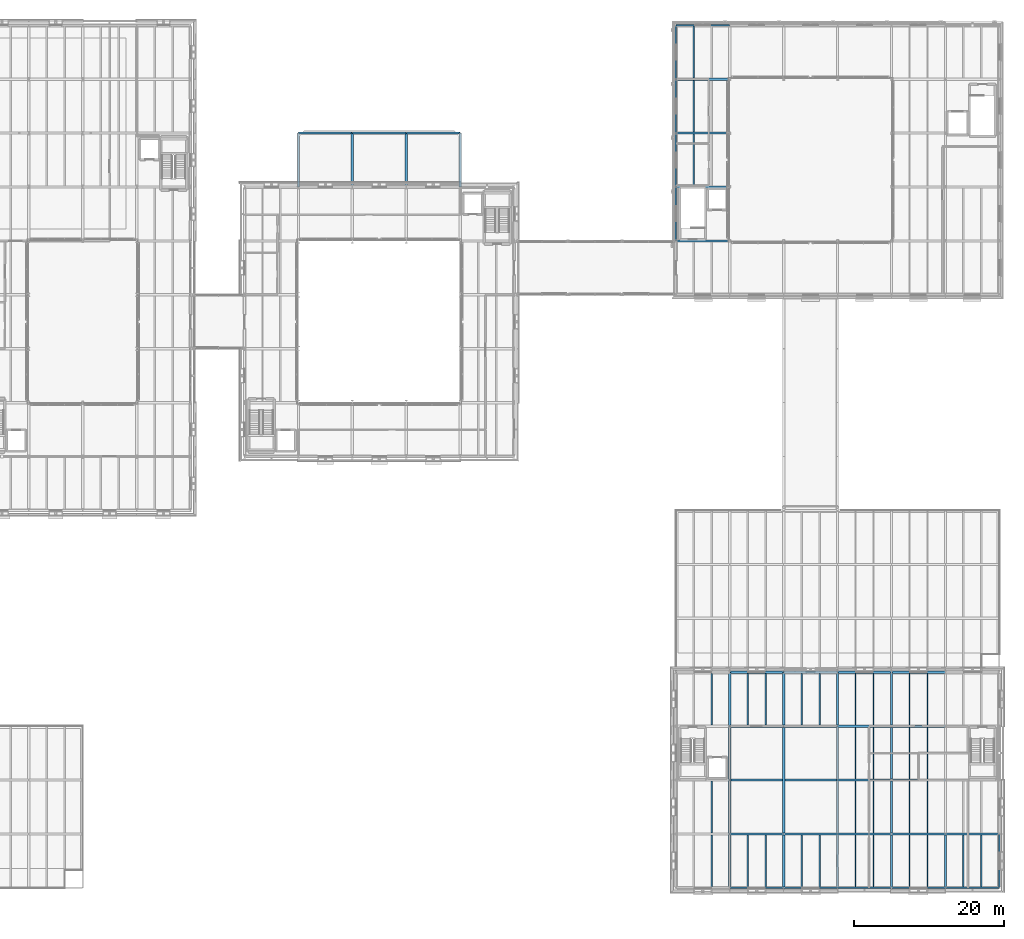
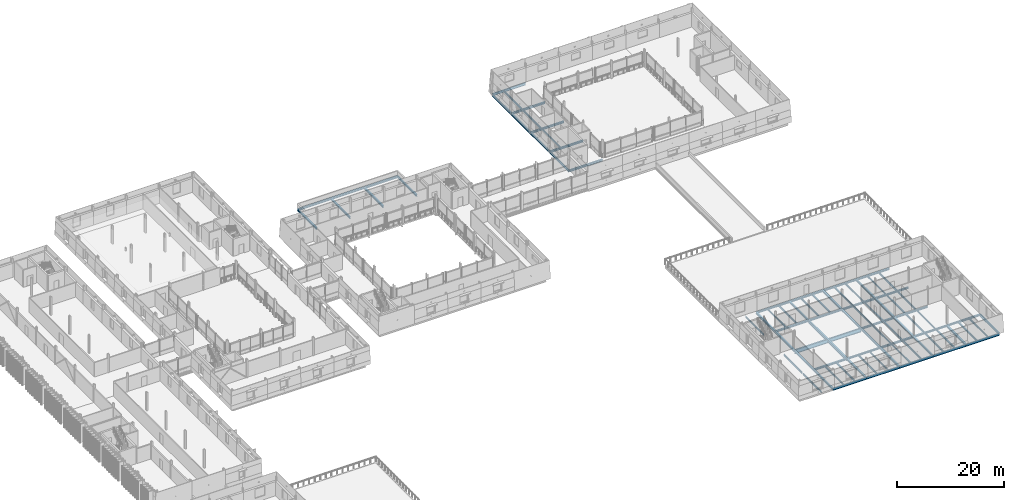
# One storey, part 35 of 115: 86 beams.
"""IFC4 building model written with IfcOpenShell, lengths in metres."""

from ifc_helpers import new_model, si_unit, direction, frame, origin, origin_2d, place, context, subcontext, project, spatial, i_section, extrude, material, material_profile, profile_set, type_object, element, save


model = new_model("IFC4")

# Units and contexts
model_context = context("Model", 3, precision=1e-05, world=origin(), true_north=direction((0.0, 1.0)))
body_context = subcontext(model_context, "Body", "Model", "MODEL_VIEW")
ifc_project = project(units=[si_unit("LENGTHUNIT", "METRE"), si_unit("AREAUNIT", "SQUARE_METRE"), si_unit("VOLUMEUNIT", "CUBIC_METRE"), si_unit("PLANEANGLEUNIT", "RADIAN"), si_unit("MASSUNIT", "GRAM", prefix="KILO")], contexts=[model_context])

# Site, building, storey
site_placement = place(None, origin())
site = spatial("IfcSite", under=ifc_project, at=site_placement, CompositionType="ELEMENT")
building_placement = place(site_placement, origin())
building = spatial("IfcBuilding", under=site, at=building_placement, Name="Narikvali Park Central Library", CompositionType="ELEMENT")
storey_placement = place(building_placement, frame((0.0, 0.0, 10.199951171875)))
storey = spatial("IfcBuildingStorey", under=building, at=storey_placement, Name="L02", CompositionType="ELEMENT", Elevation=10.199951171875)

# Beams
ifc_material = material(Name="Steel S355", Category="steel")
ifc_material_profile_1 = material_profile(ifc_material, i_section(OverallWidth=0.179931640625, OverallDepth=0.39990234375, WebThickness=0.008544921875, FlangeThickness=0.013427734375, FilletRadius=0.02099609375, at=origin_2d()), Name="IPE 400")
ifc_profile_set_1 = profile_set([ifc_material_profile_1], Name="Steel S355")
beam_type_1 = type_object("IfcBeamType", Name="Composite Floor Joist IPE400", PredefinedType="JOIST", material=ifc_profile_set_1)
beam_1_placement = place(storey_placement, frame((124.800048828125, 93.75, -0.47998046875), z_axis=(0.0, 1.0, 0.0), x_axis=(-1.0, 0.0, 0.0)))
element("IfcBeam", 1, at=beam_1_placement, inside=storey, type_object=beam_type_1, Name="V3 L02 Composite Joist 1", PredefinedType="JOIST", context=body_context, shape_type="SweptSolid", body=[
    extrude(i_section(OverallWidth=0.179931640625, OverallDepth=0.39990234375, WebThickness=0.008544921875, FlangeThickness=0.013427734375, FilletRadius=0.02099609375, at=origin_2d()), origin(), (0.0, 0.0, 1.0), 6.89990234375),
])
beam_2_placement = place(storey_placement, frame((124.800048828125, 100.949951171875, -0.47998046875), z_axis=(0.0, 1.0, 0.0), x_axis=(-1.0, 0.0, 0.0)))
element("IfcBeam", 2, at=beam_2_placement, inside=storey, type_object=beam_type_1, Name="V3 L02 Composite Joist 1", PredefinedType="JOIST", context=body_context, shape_type="SweptSolid", body=[
    extrude(i_section(OverallWidth=0.179931640625, OverallDepth=0.39990234375, WebThickness=0.008544921875, FlangeThickness=0.013427734375, FilletRadius=0.02099609375, at=origin_2d()), origin(), (0.0, 0.0, 1.0), 6.900146484375),
])
for number, where, z_axis, x_axis, name in (
    (3, (124.800048828125, 108.14990234375, -0.47998046875), (0.0, 1.0, 0.0), (-1.0, 0.0, 0.0), "V3 L02 Composite Joist 1"),
    (4, (127.199951171875, 0.10498046875, -0.47998046875), (0.0, 1.0, 0.0), (-1.0, 0.0, 0.0), "V6 L02 Composite Joist 2"),
):
    element("IfcBeam", number, at=place(storey_placement, frame(where, z_axis=z_axis, x_axis=x_axis)), inside=storey, type_object=beam_type_1, Name=name, PredefinedType="JOIST", context=body_context, shape_type="SweptSolid", body=[
        extrude(i_section(OverallWidth=0.179931640625, OverallDepth=0.39990234375, WebThickness=0.008544921875, FlangeThickness=0.013427734375, FilletRadius=0.02099609375, at=origin_2d()), origin(), (0.0, 0.0, 1.0), 6.945068359375),
    ])
for number, where, z_axis, x_axis, name in (
    (5, (127.199951171875, 7.35009765625, -0.47998046875), (0.0, 1.0, 0.0), (-1.0, 0.0, 0.0), "V6 L02 Composite Joist 2"),
    (6, (127.199951171875, 21.75, -0.47998046875), (0.0, 1.0, 0.0), (-1.0, 0.0, 0.0), "V6 L02 Composite Joist 2"),
):
    element("IfcBeam", number, at=place(storey_placement, frame(where, z_axis=z_axis, x_axis=x_axis)), inside=storey, type_object=beam_type_1, Name=name, PredefinedType="JOIST", context=body_context, shape_type="SweptSolid", body=[
        extrude(i_section(OverallWidth=0.179931640625, OverallDepth=0.39990234375, WebThickness=0.008544921875, FlangeThickness=0.013427734375, FilletRadius=0.02099609375, at=origin_2d()), origin(), (0.0, 0.0, 1.0), 6.89990234375),
    ])
for number, where, z_axis, x_axis, name in (
    (7, (132.0, 0.10498046875, -0.47998046875), (0.0, 1.0, 0.0), (-1.0, 0.0, 0.0), "V6 L02 Composite Joist 1"),
    (8, (134.39990234375, 0.10498046875, -0.47998046875), (0.0, 1.0, 0.0), (-1.0, 0.0, 0.0), "V6 L02 Composite Joist 2"),
):
    element("IfcBeam", number, at=place(storey_placement, frame(where, z_axis=z_axis, x_axis=x_axis)), inside=storey, type_object=beam_type_1, Name=name, PredefinedType="JOIST", context=body_context, shape_type="SweptSolid", body=[
        extrude(i_section(OverallWidth=0.179931640625, OverallDepth=0.39990234375, WebThickness=0.008544921875, FlangeThickness=0.013427734375, FilletRadius=0.02099609375, at=origin_2d()), origin(), (0.0, 0.0, 1.0), 6.945068359375),
    ])
for number, where, z_axis, x_axis, name in (
    (9, (132.0, 21.75, -0.47998046875), (0.0, 1.0, 0.0), (-1.0, 0.0, 0.0), "V6 L02 Composite Joist 1"),
    (10, (134.39990234375, 21.75, -0.47998046875), (0.0, 1.0, 0.0), (-1.0, 0.0, 0.0), "V6 L02 Composite Joist 2"),
):
    element("IfcBeam", number, at=place(storey_placement, frame(where, z_axis=z_axis, x_axis=x_axis)), inside=storey, type_object=beam_type_1, Name=name, PredefinedType="JOIST", context=body_context, shape_type="SweptSolid", body=[
        extrude(i_section(OverallWidth=0.179931640625, OverallDepth=0.39990234375, WebThickness=0.008544921875, FlangeThickness=0.013427734375, FilletRadius=0.02099609375, at=origin_2d()), origin(), (0.0, 0.0, 1.0), 6.89990234375),
    ])
for number, where, z_axis, x_axis, name in (
    (11, (139.199951171875, 0.10498046875, -0.47998046875), (0.0, 1.0, 0.0), (-1.0, 0.0, 0.0), "V6 L02 Composite Joist 1"),
    (12, (141.60009765625, 0.10498046875, -0.47998046875), (0.0, 1.0, 0.0), (-1.0, 0.0, 0.0), "V6 L02 Composite Joist 2"),
):
    element("IfcBeam", number, at=place(storey_placement, frame(where, z_axis=z_axis, x_axis=x_axis)), inside=storey, type_object=beam_type_1, Name=name, PredefinedType="JOIST", context=body_context, shape_type="SweptSolid", body=[
        extrude(i_section(OverallWidth=0.179931640625, OverallDepth=0.39990234375, WebThickness=0.008544921875, FlangeThickness=0.013427734375, FilletRadius=0.02099609375, at=origin_2d()), origin(), (0.0, 0.0, 1.0), 6.945068359375),
    ])
for number, where, z_axis, x_axis, name in (
    (13, (139.199951171875, 21.75, -0.47998046875), (0.0, 1.0, 0.0), (-1.0, 0.0, 0.0), "V6 L02 Composite Joist 1"),
    (14, (141.60009765625, 21.75, -0.47998046875), (0.0, 1.0, 0.0), (-1.0, 0.0, 0.0), "V6 L02 Composite Joist 2"),
):
    element("IfcBeam", number, at=place(storey_placement, frame(where, z_axis=z_axis, x_axis=x_axis)), inside=storey, type_object=beam_type_1, Name=name, PredefinedType="JOIST", context=body_context, shape_type="SweptSolid", body=[
        extrude(i_section(OverallWidth=0.179931640625, OverallDepth=0.39990234375, WebThickness=0.008544921875, FlangeThickness=0.013427734375, FilletRadius=0.02099609375, at=origin_2d()), origin(), (0.0, 0.0, 1.0), 6.89990234375),
    ])
for number, where, z_axis, x_axis, name in (
    (15, (146.39990234375, 0.10498046875, -0.47998046875), (0.0, 1.0, 0.0), (-1.0, 0.0, 0.0), "V6 L02 Composite Joist 1"),
    (16, (148.800048828125, 0.10498046875, -0.47998046875), (0.0, 1.0, 0.0), (-1.0, 0.0, 0.0), "V6 L02 Composite Joist 2"),
):
    element("IfcBeam", number, at=place(storey_placement, frame(where, z_axis=z_axis, x_axis=x_axis)), inside=storey, type_object=beam_type_1, Name=name, PredefinedType="JOIST", context=body_context, shape_type="SweptSolid", body=[
        extrude(i_section(OverallWidth=0.179931640625, OverallDepth=0.39990234375, WebThickness=0.008544921875, FlangeThickness=0.013427734375, FilletRadius=0.02099609375, at=origin_2d()), origin(), (0.0, 0.0, 1.0), 6.945068359375),
    ])
for number, where, z_axis, x_axis, name in (
    (17, (146.39990234375, 7.35009765625, -0.47998046875), (0.0, 1.0, 0.0), (-1.0, 0.0, 0.0), "V6 L02 Composite Joist 1"),
    (18, (148.800048828125, 7.35009765625, -0.47998046875), (0.0, 1.0, 0.0), (-1.0, 0.0, 0.0), "V6 L02 Composite Joist 2"),
    (19, (146.39990234375, 14.550048828125, -0.47998046875), (0.0, 1.0, 0.0), (-1.0, 0.0, 0.0), "V6 L02 Composite Joist 1"),
    (20, (148.800048828125, 14.550048828125, -0.47998046875), (0.0, 1.0, 0.0), (-1.0, 0.0, 0.0), "V6 L02 Composite Joist 2"),
    (21, (146.39990234375, 21.75, -0.47998046875), (0.0, 1.0, 0.0), (-1.0, 0.0, 0.0), "V6 L02 Composite Joist 1"),
    (22, (148.800048828125, 21.75, -0.47998046875), (0.0, 1.0, 0.0), (-1.0, 0.0, 0.0), "V6 L02 Composite Joist 2"),
):
    element("IfcBeam", number, at=place(storey_placement, frame(where, z_axis=z_axis, x_axis=x_axis)), inside=storey, type_object=beam_type_1, Name=name, PredefinedType="JOIST", context=body_context, shape_type="SweptSolid", body=[
        extrude(i_section(OverallWidth=0.179931640625, OverallDepth=0.39990234375, WebThickness=0.008544921875, FlangeThickness=0.013427734375, FilletRadius=0.02099609375, at=origin_2d()), origin(), (0.0, 0.0, 1.0), 6.89990234375),
    ])
for number, where, z_axis, x_axis, name in (
    (23, (153.60009765625, 0.10498046875, -0.47998046875), (0.0, 1.0, 0.0), (-1.0, 0.0, 0.0), "V6 L02 Composite Joist 1"),
    (24, (156.0, 0.10498046875, -0.47998046875), (0.0, 1.0, 0.0), (-1.0, 0.0, 0.0), "V6 L02 Composite Joist 2"),
):
    element("IfcBeam", number, at=place(storey_placement, frame(where, z_axis=z_axis, x_axis=x_axis)), inside=storey, type_object=beam_type_1, Name=name, PredefinedType="JOIST", context=body_context, shape_type="SweptSolid", body=[
        extrude(i_section(OverallWidth=0.179931640625, OverallDepth=0.39990234375, WebThickness=0.008544921875, FlangeThickness=0.013427734375, FilletRadius=0.02099609375, at=origin_2d()), origin(), (0.0, 0.0, 1.0), 6.945068359375),
    ])
for number, where, z_axis, x_axis, name in (
    (25, (153.60009765625, 7.35009765625, -0.47998046875), (0.0, 1.0, 0.0), (-1.0, 0.0, 0.0), "V6 L02 Composite Joist 1"),
    (26, (156.0, 7.35009765625, -0.47998046875), (0.0, 1.0, 0.0), (-1.0, 0.0, 0.0), "V6 L02 Composite Joist 2"),
    (27, (153.60009765625, 14.550048828125, -0.47998046875), (0.0, 1.0, 0.0), (-1.0, 0.0, 0.0), "V6 L02 Composite Joist 1"),
    (28, (156.0, 14.550048828125, -0.47998046875), (0.0, 1.0, 0.0), (-1.0, 0.0, 0.0), "V6 L02 Composite Joist 2"),
    (29, (153.60009765625, 21.75, -0.47998046875), (0.0, 1.0, 0.0), (-1.0, 0.0, 0.0), "V6 L02 Composite Joist 1"),
    (30, (156.0, 21.75, -0.47998046875), (0.0, 1.0, 0.0), (-1.0, 0.0, 0.0), "V6 L02 Composite Joist 2"),
):
    element("IfcBeam", number, at=place(storey_placement, frame(where, z_axis=z_axis, x_axis=x_axis)), inside=storey, type_object=beam_type_1, Name=name, PredefinedType="JOIST", context=body_context, shape_type="SweptSolid", body=[
        extrude(i_section(OverallWidth=0.179931640625, OverallDepth=0.39990234375, WebThickness=0.008544921875, FlangeThickness=0.013427734375, FilletRadius=0.02099609375, at=origin_2d()), origin(), (0.0, 0.0, 1.0), 6.89990234375),
    ])
for number, where, z_axis, x_axis, name in (
    (31, (160.800048828125, 0.10498046875, -0.47998046875), (0.0, 1.0, 0.0), (-1.0, 0.0, 0.0), "V6 L02 Composite Joist 1"),
    (32, (163.199951171875, 0.10498046875, -0.47998046875), (0.0, 1.0, 0.0), (-1.0, 0.0, 0.0), "V6 L02 Composite Joist 2"),
):
    element("IfcBeam", number, at=place(storey_placement, frame(where, z_axis=z_axis, x_axis=x_axis)), inside=storey, type_object=beam_type_1, Name=name, PredefinedType="JOIST", context=body_context, shape_type="SweptSolid", body=[
        extrude(i_section(OverallWidth=0.179931640625, OverallDepth=0.39990234375, WebThickness=0.008544921875, FlangeThickness=0.013427734375, FilletRadius=0.02099609375, at=origin_2d()), origin(), (0.0, 0.0, 1.0), 6.945068359375),
    ])
ifc_material_profile_2 = material_profile(ifc_material, i_section(OverallWidth=0.300048828125, OverallDepth=0.889892578125, WebThickness=0.01611328125, FlangeThickness=0.030029296875, FilletRadius=0.030029296875, at=origin_2d()), Name="HEA 900")
ifc_profile_set_2 = profile_set([ifc_material_profile_2], Name="Steel S355")
beam_type_2 = type_object("IfcBeamType", Name="Lecture Hall Span Girder HEA900", PredefinedType="BEAM", material=ifc_profile_set_2)
beam_3_placement = place(storey_placement, frame((129.60791015625, 14.39990234375, -0.724853515625), z_axis=(1.0, 0.0, 0.0), x_axis=(0.0, 1.0, 0.0)))
element("IfcBeam", 33, at=beam_3_placement, inside=storey, type_object=beam_type_2, Name="V6 L02 Girder X", PredefinedType="BEAM", context=body_context, shape_type="SweptSolid", body=[
    extrude(i_section(OverallWidth=0.300048828125, OverallDepth=0.889892578125, WebThickness=0.01611328125, FlangeThickness=0.030029296875, FilletRadius=0.030029296875, at=origin_2d()), origin(), (0.0, 0.0, 1.0), 14.384033203125),
])
ifc_material_profile_3 = material_profile(ifc_material, i_section(OverallWidth=0.300048828125, OverallDepth=0.699951171875, WebThickness=0.01708984375, FlangeThickness=0.031982421875, FilletRadius=0.027099609375, at=origin_2d()), Name="HEB 700")
ifc_profile_set_3 = profile_set([ifc_material_profile_3], Name="Steel S355")
beam_type_3 = type_object("IfcBeamType", Name="Long Span Girder HEB700", PredefinedType="BEAM", material=ifc_profile_set_3)
beam_4_placement = place(storey_placement, frame((136.800048828125, 7.2080078125, -0.6298828125), z_axis=(0.0, 1.0, 0.0), x_axis=(-1.0, 0.0, 0.0)))
element("IfcBeam", 34, at=beam_4_placement, inside=storey, type_object=beam_type_3, Name="V6 L02 Girder Y", PredefinedType="BEAM", context=body_context, shape_type="SweptSolid", body=[
    extrude(i_section(OverallWidth=0.300048828125, OverallDepth=0.699951171875, WebThickness=0.01708984375, FlangeThickness=0.031982421875, FilletRadius=0.027099609375, at=origin_2d()), origin(), (0.0, 0.0, 1.0), 14.384033203125),
])
ifc_material_profile_4 = material_profile(ifc_material, i_section(OverallWidth=0.2099609375, OverallDepth=0.550048828125, WebThickness=0.010986328125, FlangeThickness=0.01708984375, FilletRadius=0.02392578125, at=origin_2d()), Name="IPE 550")
ifc_profile_set_4 = profile_set([ifc_material_profile_4], Name="Steel S355")
beam_type_4 = type_object("IfcBeamType", Name="Perimeter Spandrel IPE550", PredefinedType="SPANDREL", material=ifc_profile_set_4)
for number, where, z_axis, x_axis, name in (
    (35, (122.407958984375, 115.199951171875, -0.554931640625), (1.0, 0.0, 0.0), (0.0, 1.0, 0.0), "V3 L02 Girder X"),
    (36, (122.39990234375, 86.407958984375, -0.554931640625), (0.0, 1.0, 0.0), (-1.0, 0.0, 0.0), "V3 L02 Girder Y"),
    (37, (122.39990234375, 93.60791015625, -0.554931640625), (0.0, 1.0, 0.0), (-1.0, 0.0, 0.0), "V3 L02 Girder Y"),
):
    element("IfcBeam", number, at=place(storey_placement, frame(where, z_axis=z_axis, x_axis=x_axis)), inside=storey, type_object=beam_type_4, Name=name, PredefinedType="SPANDREL", context=body_context, shape_type="SweptSolid", body=[
        extrude(i_section(OverallWidth=0.2099609375, OverallDepth=0.550048828125, WebThickness=0.010986328125, FlangeThickness=0.01708984375, FilletRadius=0.02392578125, at=origin_2d()), origin(), (0.0, 0.0, 1.0), 7.18408203125),
    ])
for number, where, z_axis, x_axis, name in (
    (38, (122.39990234375, 100.80810546875, -0.554931640625), (0.0, 1.0, 0.0), (-1.0, 0.0, 0.0), "V3 L02 Girder Y"),
    (39, (122.39990234375, 108.008056640625, -0.554931640625), (0.0, 1.0, 0.0), (-1.0, 0.0, 0.0), "V3 L02 Girder Y"),
):
    element("IfcBeam", number, at=place(storey_placement, frame(where, z_axis=z_axis, x_axis=x_axis)), inside=storey, type_object=beam_type_4, Name=name, PredefinedType="SPANDREL", context=body_context, shape_type="SweptSolid", body=[
        extrude(i_section(OverallWidth=0.2099609375, OverallDepth=0.550048828125, WebThickness=0.010986328125, FlangeThickness=0.01708984375, FilletRadius=0.02392578125, at=origin_2d()), origin(), (0.0, 0.0, 1.0), 7.183837890625),
    ])
beam_5_placement = place(storey_placement, frame((129.60791015625, 0.0, -0.554931640625), z_axis=(1.0, 0.0, 0.0), x_axis=(0.0, 1.0, 0.0)))
element("IfcBeam", 40, at=beam_5_placement, inside=storey, type_object=beam_type_4, Name="V6 L02 Girder X", PredefinedType="SPANDREL", context=body_context, shape_type="SweptSolid", body=[
    extrude(i_section(OverallWidth=0.2099609375, OverallDepth=0.550048828125, WebThickness=0.010986328125, FlangeThickness=0.01708984375, FilletRadius=0.02392578125, at=origin_2d()), origin(), (0.0, 0.0, 1.0), 7.18408203125),
])
for number, where, z_axis, x_axis, name in (
    (41, (136.80810546875, 0.0, -0.554931640625), (1.0, 0.0, 0.0), (0.0, 1.0, 0.0), "V6 L02 Girder X"),
    (42, (144.008056640625, 0.0, -0.554931640625), (1.0, 0.0, 0.0), (0.0, 1.0, 0.0), "V6 L02 Girder X"),
):
    element("IfcBeam", number, at=place(storey_placement, frame(where, z_axis=z_axis, x_axis=x_axis)), inside=storey, type_object=beam_type_4, Name=name, PredefinedType="SPANDREL", context=body_context, shape_type="SweptSolid", body=[
        extrude(i_section(OverallWidth=0.2099609375, OverallDepth=0.550048828125, WebThickness=0.010986328125, FlangeThickness=0.01708984375, FilletRadius=0.02392578125, at=origin_2d()), origin(), (0.0, 0.0, 1.0), 7.183837890625),
    ])
for number, where, z_axis, x_axis, name in (
    (43, (151.2080078125, 0.0, -0.554931640625), (1.0, 0.0, 0.0), (0.0, 1.0, 0.0), "V6 L02 Girder X"),
    (44, (158.407958984375, 0.0, -0.554931640625), (1.0, 0.0, 0.0), (0.0, 1.0, 0.0), "V6 L02 Girder X"),
):
    element("IfcBeam", number, at=place(storey_placement, frame(where, z_axis=z_axis, x_axis=x_axis)), inside=storey, type_object=beam_type_4, Name=name, PredefinedType="SPANDREL", context=body_context, shape_type="SweptSolid", body=[
        extrude(i_section(OverallWidth=0.2099609375, OverallDepth=0.550048828125, WebThickness=0.010986328125, FlangeThickness=0.01708984375, FilletRadius=0.02392578125, at=origin_2d()), origin(), (0.0, 0.0, 1.0), 7.18408203125),
    ])
beam_6_placement = place(storey_placement, frame((165.60009765625, 0.008056640625, -0.554931640625), z_axis=(0.0, 1.0, 0.0), x_axis=(-1.0, 0.0, 0.0)))
element("IfcBeam", 45, at=beam_6_placement, inside=storey, type_object=beam_type_4, Name="V6 L02 Girder Y", PredefinedType="SPANDREL", context=body_context, shape_type="SweptSolid", body=[
    extrude(i_section(OverallWidth=0.2099609375, OverallDepth=0.550048828125, WebThickness=0.010986328125, FlangeThickness=0.01708984375, FilletRadius=0.02392578125, at=origin_2d()), origin(), (0.0, 0.0, 1.0), 7.183837890625),
])
ifc_material_profile_5 = material_profile(ifc_material, i_section(OverallWidth=0.300048828125, OverallDepth=0.389892578125, WebThickness=0.010986328125, FlangeThickness=0.01904296875, FilletRadius=0.027099609375, at=origin_2d()), Name="HEA 400")
ifc_profile_set_5 = profile_set([ifc_material_profile_5], Name="Steel S355")
beam_type_5 = type_object("IfcBeamType", Name="Primary Girder HEA400", PredefinedType="BEAM", material=ifc_profile_set_5)
beam_7_placement = place(storey_placement, frame((129.60791015625, 7.199951171875, -0.474853515625), z_axis=(1.0, 0.0, 0.0), x_axis=(0.0, 1.0, 0.0)))
element("IfcBeam", 46, at=beam_7_placement, inside=storey, type_object=beam_type_5, Name="V6 L02 Girder X", PredefinedType="BEAM", context=body_context, shape_type="SweptSolid", body=[
    extrude(i_section(OverallWidth=0.300048828125, OverallDepth=0.389892578125, WebThickness=0.010986328125, FlangeThickness=0.01904296875, FilletRadius=0.027099609375, at=origin_2d()), origin(), (0.0, 0.0, 1.0), 7.18408203125),
])
for number, where, z_axis, x_axis, name in (
    (47, (136.80810546875, 7.199951171875, -0.474853515625), (1.0, 0.0, 0.0), (0.0, 1.0, 0.0), "V6 L02 Girder X"),
    (48, (144.008056640625, 7.199951171875, -0.474853515625), (1.0, 0.0, 0.0), (0.0, 1.0, 0.0), "V6 L02 Girder X"),
):
    element("IfcBeam", number, at=place(storey_placement, frame(where, z_axis=z_axis, x_axis=x_axis)), inside=storey, type_object=beam_type_5, Name=name, PredefinedType="BEAM", context=body_context, shape_type="SweptSolid", body=[
        extrude(i_section(OverallWidth=0.300048828125, OverallDepth=0.389892578125, WebThickness=0.010986328125, FlangeThickness=0.01904296875, FilletRadius=0.027099609375, at=origin_2d()), origin(), (0.0, 0.0, 1.0), 7.183837890625),
    ])
for number, where, z_axis, x_axis, name in (
    (49, (151.2080078125, 7.199951171875, -0.474853515625), (1.0, 0.0, 0.0), (0.0, 1.0, 0.0), "V6 L02 Girder X"),
    (50, (158.407958984375, 7.199951171875, -0.474853515625), (1.0, 0.0, 0.0), (0.0, 1.0, 0.0), "V6 L02 Girder X"),
):
    element("IfcBeam", number, at=place(storey_placement, frame(where, z_axis=z_axis, x_axis=x_axis)), inside=storey, type_object=beam_type_5, Name=name, PredefinedType="BEAM", context=body_context, shape_type="SweptSolid", body=[
        extrude(i_section(OverallWidth=0.300048828125, OverallDepth=0.389892578125, WebThickness=0.010986328125, FlangeThickness=0.01904296875, FilletRadius=0.027099609375, at=origin_2d()), origin(), (0.0, 0.0, 1.0), 7.18408203125),
    ])
beam_8_placement = place(storey_placement, frame((144.008056640625, 14.39990234375, -0.474853515625), z_axis=(1.0, 0.0, 0.0), x_axis=(0.0, 1.0, 0.0)))
element("IfcBeam", 51, at=beam_8_placement, inside=storey, type_object=beam_type_5, Name="V6 L02 Girder X", PredefinedType="BEAM", context=body_context, shape_type="SweptSolid", body=[
    extrude(i_section(OverallWidth=0.300048828125, OverallDepth=0.389892578125, WebThickness=0.010986328125, FlangeThickness=0.01904296875, FilletRadius=0.027099609375, at=origin_2d()), origin(), (0.0, 0.0, 1.0), 7.183837890625),
])
for number, where, z_axis, x_axis, name in (
    (52, (151.2080078125, 14.39990234375, -0.474853515625), (1.0, 0.0, 0.0), (0.0, 1.0, 0.0), "V6 L02 Girder X"),
    (53, (129.60791015625, 21.60009765625, -0.474853515625), (1.0, 0.0, 0.0), (0.0, 1.0, 0.0), "V6 L02 Girder X"),
):
    element("IfcBeam", number, at=place(storey_placement, frame(where, z_axis=z_axis, x_axis=x_axis)), inside=storey, type_object=beam_type_5, Name=name, PredefinedType="BEAM", context=body_context, shape_type="SweptSolid", body=[
        extrude(i_section(OverallWidth=0.300048828125, OverallDepth=0.389892578125, WebThickness=0.010986328125, FlangeThickness=0.01904296875, FilletRadius=0.027099609375, at=origin_2d()), origin(), (0.0, 0.0, 1.0), 7.18408203125),
    ])
for number, where, z_axis, x_axis, name in (
    (54, (136.80810546875, 21.60009765625, -0.474853515625), (1.0, 0.0, 0.0), (0.0, 1.0, 0.0), "V6 L02 Girder X"),
    (55, (144.008056640625, 21.60009765625, -0.474853515625), (1.0, 0.0, 0.0), (0.0, 1.0, 0.0), "V6 L02 Girder X"),
):
    element("IfcBeam", number, at=place(storey_placement, frame(where, z_axis=z_axis, x_axis=x_axis)), inside=storey, type_object=beam_type_5, Name=name, PredefinedType="BEAM", context=body_context, shape_type="SweptSolid", body=[
        extrude(i_section(OverallWidth=0.300048828125, OverallDepth=0.389892578125, WebThickness=0.010986328125, FlangeThickness=0.01904296875, FilletRadius=0.027099609375, at=origin_2d()), origin(), (0.0, 0.0, 1.0), 7.183837890625),
    ])
for number, where, z_axis, x_axis, name in (
    (56, (151.2080078125, 21.60009765625, -0.474853515625), (1.0, 0.0, 0.0), (0.0, 1.0, 0.0), "V6 L02 Girder X"),
    (57, (129.60791015625, 28.800048828125, -0.534912109375), (1.0, 0.0, 0.0), (0.0, 1.0, 0.0), "V6 L02 Girder X"),
):
    element("IfcBeam", number, at=place(storey_placement, frame(where, z_axis=z_axis, x_axis=x_axis)), inside=storey, type_object=beam_type_5, Name=name, PredefinedType="BEAM", context=body_context, shape_type="SweptSolid", body=[
        extrude(i_section(OverallWidth=0.300048828125, OverallDepth=0.389892578125, WebThickness=0.010986328125, FlangeThickness=0.01904296875, FilletRadius=0.027099609375, at=origin_2d()), origin(), (0.0, 0.0, 1.0), 7.18408203125),
    ])
for number, where, z_axis, x_axis, name in (
    (58, (136.80810546875, 28.800048828125, -0.534912109375), (1.0, 0.0, 0.0), (0.0, 1.0, 0.0), "V6 L02 Girder X"),
    (59, (144.008056640625, 28.800048828125, -0.534912109375), (1.0, 0.0, 0.0), (0.0, 1.0, 0.0), "V6 L02 Girder X"),
):
    element("IfcBeam", number, at=place(storey_placement, frame(where, z_axis=z_axis, x_axis=x_axis)), inside=storey, type_object=beam_type_5, Name=name, PredefinedType="BEAM", context=body_context, shape_type="SweptSolid", body=[
        extrude(i_section(OverallWidth=0.300048828125, OverallDepth=0.389892578125, WebThickness=0.010986328125, FlangeThickness=0.01904296875, FilletRadius=0.027099609375, at=origin_2d()), origin(), (0.0, 0.0, 1.0), 7.183837890625),
    ])
beam_9_placement = place(storey_placement, frame((151.2080078125, 28.800048828125, -0.534912109375), z_axis=(1.0, 0.0, 0.0), x_axis=(0.0, 1.0, 0.0)))
element("IfcBeam", 60, at=beam_9_placement, inside=storey, type_object=beam_type_5, Name="V6 L02 Girder X", PredefinedType="BEAM", context=body_context, shape_type="SweptSolid", body=[
    extrude(i_section(OverallWidth=0.300048828125, OverallDepth=0.389892578125, WebThickness=0.010986328125, FlangeThickness=0.01904296875, FilletRadius=0.027099609375, at=origin_2d()), origin(), (0.0, 0.0, 1.0), 7.18408203125),
])
ifc_material_profile_6 = material_profile(ifc_material, i_section(OverallWidth=0.300048828125, OverallDepth=0.43994140625, WebThickness=0.011474609375, FlangeThickness=0.02099609375, FilletRadius=0.027099609375, at=origin_2d()), Name="HEA 450")
ifc_profile_set_6 = profile_set([ifc_material_profile_6], Name="Steel S355")
beam_type_6 = type_object("IfcBeamType", Name="Primary Girder HEA450", PredefinedType="BEAM", material=ifc_profile_set_6)
for number, where, z_axis, x_axis, name in (
    (61, (122.407958984375, 86.39990234375, -0.5), (1.0, 0.0, 0.0), (0.0, 1.0, 0.0), "V3 L02 Girder X"),
    (62, (122.407958984375, 93.60009765625, -0.5), (1.0, 0.0, 0.0), (0.0, 1.0, 0.0), "V3 L02 Girder X"),
    (63, (122.407958984375, 100.800048828125, -0.5), (1.0, 0.0, 0.0), (0.0, 1.0, 0.0), "V3 L02 Girder X"),
    (64, (122.407958984375, 108.0, -0.5), (1.0, 0.0, 0.0), (0.0, 1.0, 0.0), "V3 L02 Girder X"),
):
    element("IfcBeam", number, at=place(storey_placement, frame(where, z_axis=z_axis, x_axis=x_axis)), inside=storey, type_object=beam_type_6, Name=name, PredefinedType="BEAM", context=body_context, shape_type="SweptSolid", body=[
        extrude(i_section(OverallWidth=0.300048828125, OverallDepth=0.43994140625, WebThickness=0.011474609375, FlangeThickness=0.02099609375, FilletRadius=0.027099609375, at=origin_2d()), origin(), (0.0, 0.0, 1.0), 7.18408203125),
    ])
beam_10_placement = place(storey_placement, frame((129.60009765625, 0.008056640625, -0.5), z_axis=(0.0, 1.0, 0.0), x_axis=(-1.0, 0.0, 0.0)))
element("IfcBeam", 65, at=beam_10_placement, inside=storey, type_object=beam_type_6, Name="V6 L02 Girder Y", PredefinedType="BEAM", context=body_context, shape_type="SweptSolid", body=[
    extrude(i_section(OverallWidth=0.300048828125, OverallDepth=0.43994140625, WebThickness=0.011474609375, FlangeThickness=0.02099609375, FilletRadius=0.027099609375, at=origin_2d()), origin(), (0.0, 0.0, 1.0), 7.183837890625),
])
for number, where, z_axis, x_axis, name in (
    (66, (129.60009765625, 7.2080078125, -0.5), (0.0, 1.0, 0.0), (-1.0, 0.0, 0.0), "V6 L02 Girder Y"),
    (67, (129.60009765625, 14.407958984375, -0.5), (0.0, 1.0, 0.0), (-1.0, 0.0, 0.0), "V6 L02 Girder Y"),
    (68, (129.60009765625, 21.60791015625, -0.5), (0.0, 1.0, 0.0), (-1.0, 0.0, 0.0), "V6 L02 Girder Y"),
):
    element("IfcBeam", number, at=place(storey_placement, frame(where, z_axis=z_axis, x_axis=x_axis)), inside=storey, type_object=beam_type_6, Name=name, PredefinedType="BEAM", context=body_context, shape_type="SweptSolid", body=[
        extrude(i_section(OverallWidth=0.300048828125, OverallDepth=0.43994140625, WebThickness=0.011474609375, FlangeThickness=0.02099609375, FilletRadius=0.027099609375, at=origin_2d()), origin(), (0.0, 0.0, 1.0), 7.18408203125),
    ])
beam_11_placement = place(storey_placement, frame((136.800048828125, 0.008056640625, -0.5), z_axis=(0.0, 1.0, 0.0), x_axis=(-1.0, 0.0, 0.0)))
element("IfcBeam", 69, at=beam_11_placement, inside=storey, type_object=beam_type_6, Name="V6 L02 Girder Y", PredefinedType="BEAM", context=body_context, shape_type="SweptSolid", body=[
    extrude(i_section(OverallWidth=0.300048828125, OverallDepth=0.43994140625, WebThickness=0.011474609375, FlangeThickness=0.02099609375, FilletRadius=0.027099609375, at=origin_2d()), origin(), (0.0, 0.0, 1.0), 7.183837890625),
])
beam_12_placement = place(storey_placement, frame((136.800048828125, 21.60791015625, -0.5), z_axis=(0.0, 1.0, 0.0), x_axis=(-1.0, 0.0, 0.0)))
element("IfcBeam", 70, at=beam_12_placement, inside=storey, type_object=beam_type_6, Name="V6 L02 Girder Y", PredefinedType="BEAM", context=body_context, shape_type="SweptSolid", body=[
    extrude(i_section(OverallWidth=0.300048828125, OverallDepth=0.43994140625, WebThickness=0.011474609375, FlangeThickness=0.02099609375, FilletRadius=0.027099609375, at=origin_2d()), origin(), (0.0, 0.0, 1.0), 7.18408203125),
])
beam_13_placement = place(storey_placement, frame((144.0, 0.008056640625, -0.5), z_axis=(0.0, 1.0, 0.0), x_axis=(-1.0, 0.0, 0.0)))
element("IfcBeam", 71, at=beam_13_placement, inside=storey, type_object=beam_type_6, Name="V6 L02 Girder Y", PredefinedType="BEAM", context=body_context, shape_type="SweptSolid", body=[
    extrude(i_section(OverallWidth=0.300048828125, OverallDepth=0.43994140625, WebThickness=0.011474609375, FlangeThickness=0.02099609375, FilletRadius=0.027099609375, at=origin_2d()), origin(), (0.0, 0.0, 1.0), 7.183837890625),
])
for number, where, z_axis, x_axis, name in (
    (72, (144.0, 7.2080078125, -0.5), (0.0, 1.0, 0.0), (-1.0, 0.0, 0.0), "V6 L02 Girder Y"),
    (73, (144.0, 14.407958984375, -0.5), (0.0, 1.0, 0.0), (-1.0, 0.0, 0.0), "V6 L02 Girder Y"),
    (74, (144.0, 21.60791015625, -0.5), (0.0, 1.0, 0.0), (-1.0, 0.0, 0.0), "V6 L02 Girder Y"),
):
    element("IfcBeam", number, at=place(storey_placement, frame(where, z_axis=z_axis, x_axis=x_axis)), inside=storey, type_object=beam_type_6, Name=name, PredefinedType="BEAM", context=body_context, shape_type="SweptSolid", body=[
        extrude(i_section(OverallWidth=0.300048828125, OverallDepth=0.43994140625, WebThickness=0.011474609375, FlangeThickness=0.02099609375, FilletRadius=0.027099609375, at=origin_2d()), origin(), (0.0, 0.0, 1.0), 7.18408203125),
    ])
beam_14_placement = place(storey_placement, frame((151.199951171875, 0.008056640625, -0.5), z_axis=(0.0, 1.0, 0.0), x_axis=(-1.0, 0.0, 0.0)))
element("IfcBeam", 75, at=beam_14_placement, inside=storey, type_object=beam_type_6, Name="V6 L02 Girder Y", PredefinedType="BEAM", context=body_context, shape_type="SweptSolid", body=[
    extrude(i_section(OverallWidth=0.300048828125, OverallDepth=0.43994140625, WebThickness=0.011474609375, FlangeThickness=0.02099609375, FilletRadius=0.027099609375, at=origin_2d()), origin(), (0.0, 0.0, 1.0), 7.183837890625),
])
for number, where, z_axis, x_axis, name in (
    (76, (151.199951171875, 7.2080078125, -0.5), (0.0, 1.0, 0.0), (-1.0, 0.0, 0.0), "V6 L02 Girder Y"),
    (77, (151.199951171875, 14.407958984375, -0.5), (0.0, 1.0, 0.0), (-1.0, 0.0, 0.0), "V6 L02 Girder Y"),
    (78, (151.199951171875, 21.60791015625, -0.5), (0.0, 1.0, 0.0), (-1.0, 0.0, 0.0), "V6 L02 Girder Y"),
):
    element("IfcBeam", number, at=place(storey_placement, frame(where, z_axis=z_axis, x_axis=x_axis)), inside=storey, type_object=beam_type_6, Name=name, PredefinedType="BEAM", context=body_context, shape_type="SweptSolid", body=[
        extrude(i_section(OverallWidth=0.300048828125, OverallDepth=0.43994140625, WebThickness=0.011474609375, FlangeThickness=0.02099609375, FilletRadius=0.027099609375, at=origin_2d()), origin(), (0.0, 0.0, 1.0), 7.18408203125),
    ])
beam_15_placement = place(storey_placement, frame((158.39990234375, 0.008056640625, -0.5), z_axis=(0.0, 1.0, 0.0), x_axis=(-1.0, 0.0, 0.0)))
element("IfcBeam", 79, at=beam_15_placement, inside=storey, type_object=beam_type_6, Name="V6 L02 Girder Y", PredefinedType="BEAM", context=body_context, shape_type="SweptSolid", body=[
    extrude(i_section(OverallWidth=0.300048828125, OverallDepth=0.43994140625, WebThickness=0.011474609375, FlangeThickness=0.02099609375, FilletRadius=0.027099609375, at=origin_2d()), origin(), (0.0, 0.0, 1.0), 7.183837890625),
])
for number, where, z_axis, x_axis, name in (
    (80, (72.02001953125, 100.800048828125, -0.4599609375), (1.0, 0.0, 0.0), (0.0, 1.0, 0.0), "Entrance Arch Spandrel Girder L02"),
    (81, (79.219970703125, 100.800048828125, -0.4599609375), (1.0, 0.0, 0.0), (0.0, 1.0, 0.0), "Entrance Arch Spandrel Girder L02"),
):
    element("IfcBeam", number, at=place(storey_placement, frame(where, z_axis=z_axis, x_axis=x_axis)), inside=storey, type_object=beam_type_6, Name=name, PredefinedType="BEAM", context=body_context, shape_type="SweptSolid", body=[
        extrude(i_section(OverallWidth=0.300048828125, OverallDepth=0.43994140625, WebThickness=0.011474609375, FlangeThickness=0.02099609375, FilletRadius=0.027099609375, at=origin_2d()), origin(), (0.0, 0.0, 1.0), 7.159912109375),
    ])
beam_16_placement = place(storey_placement, frame((86.419921875, 100.800048828125, -0.4599609375), z_axis=(1.0, 0.0, 0.0), x_axis=(0.0, 1.0, 0.0)))
element("IfcBeam", 82, at=beam_16_placement, inside=storey, type_object=beam_type_6, Name="Entrance Arch Spandrel Girder L02", PredefinedType="BEAM", context=body_context, shape_type="SweptSolid", body=[
    extrude(i_section(OverallWidth=0.300048828125, OverallDepth=0.43994140625, WebThickness=0.011474609375, FlangeThickness=0.02099609375, FilletRadius=0.027099609375, at=origin_2d()), origin(), (0.0, 0.0, 1.0), 7.16015625),
])
for number, where, z_axis, x_axis, name in (
    (83, (72.0, 93.610107421875, -0.4599609375), (0.0, 1.0, 0.0), (-1.0, 0.0, 0.0), "Entrance Arch Tie Girder L02"),
    (84, (79.199951171875, 93.610107421875, -0.4599609375), (0.0, 1.0, 0.0), (-1.0, 0.0, 0.0), "Entrance Arch Tie Girder L02"),
    (85, (86.39990234375, 93.610107421875, -0.4599609375), (0.0, 1.0, 0.0), (-1.0, 0.0, 0.0), "Entrance Arch Tie Girder L02"),
    (86, (93.60009765625, 93.610107421875, -0.4599609375), (0.0, 1.0, 0.0), (-1.0, 0.0, 0.0), "Entrance Arch Tie Girder L02"),
):
    element("IfcBeam", number, at=place(storey_placement, frame(where, z_axis=z_axis, x_axis=x_axis)), inside=storey, type_object=beam_type_6, Name=name, PredefinedType="BEAM", context=body_context, shape_type="SweptSolid", body=[
        extrude(i_section(OverallWidth=0.300048828125, OverallDepth=0.43994140625, WebThickness=0.011474609375, FlangeThickness=0.02099609375, FilletRadius=0.027099609375, at=origin_2d()), origin(), (0.0, 0.0, 1.0), 7.169921875),
    ])

save(model, "model.ifc")
